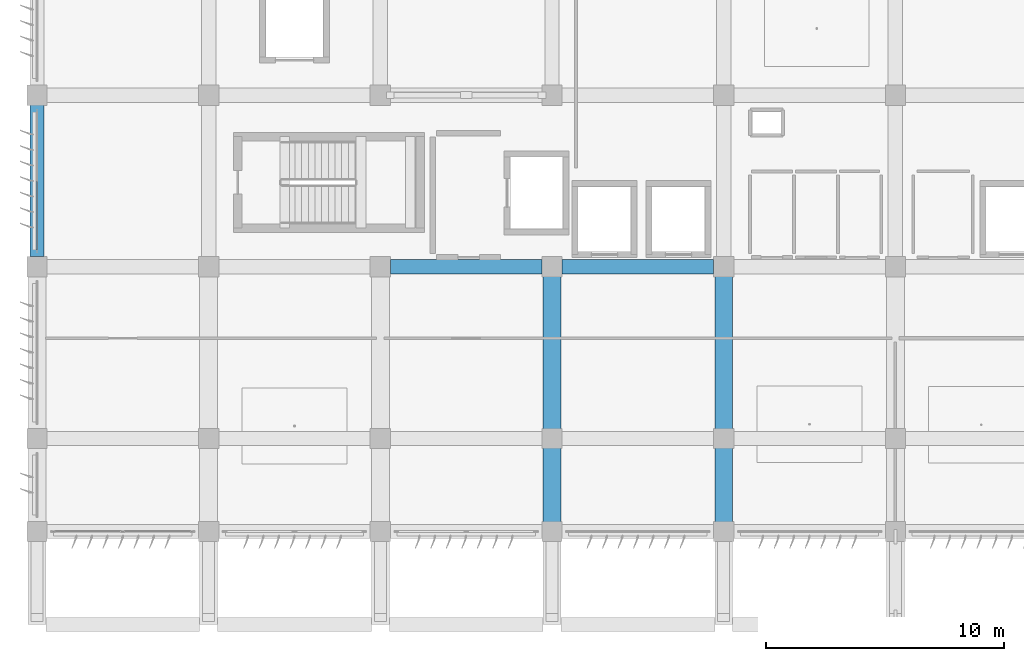
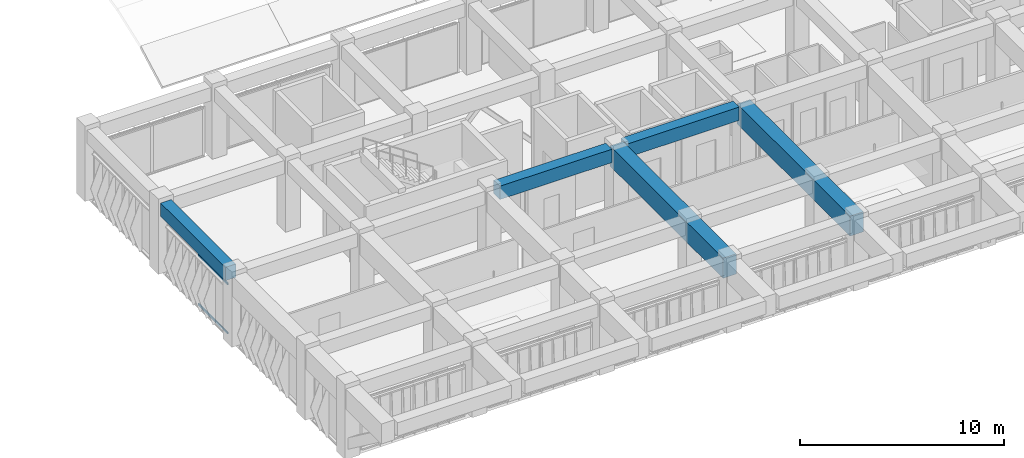
# One storey, part 8 of 56: 5 beams, 2 members, 1 element without a shape of its own.
"""IFC4 building model written with IfcOpenShell, lengths in metres."""

from ifc_helpers import new_model, si_unit, direction, frame, origin, origin_2d, place, context, subcontext, project, spatial, rectangle, hollow_rectangle, extrude, material, material_profile, profile_set, type_object, element, aggregate, save


model = new_model("IFC4")

# Units and contexts
model_context = context("Model", 3, precision=1e-05, world=origin(), true_north=direction((0.0, 1.0)))
body_context = subcontext(model_context, "Body", "Model", "MODEL_VIEW")
ifc_project = project(units=[si_unit("LENGTHUNIT", "METRE"), si_unit("AREAUNIT", "SQUARE_METRE"), si_unit("VOLUMEUNIT", "CUBIC_METRE"), si_unit("PLANEANGLEUNIT", "RADIAN"), si_unit("MASSUNIT", "GRAM", prefix="KILO")], contexts=[model_context])

# Site, building, storey
site_placement = place(None, origin())
site = spatial("IfcSite", under=ifc_project, at=site_placement, CompositionType="ELEMENT")
building_placement = place(site_placement, origin())
building = spatial("IfcBuilding", under=site, at=building_placement, Name="Kazehaya Institute of Natural Sciences", CompositionType="ELEMENT")
storey_placement = place(building_placement, frame((0.0, 0.0, 24.300048828125)))
storey = spatial("IfcBuildingStorey", under=building, at=storey_placement, Name="L05", CompositionType="ELEMENT", Elevation=24.300048828125)

# Beams
ifc_material_1 = material(Name="Concrete Fc36", Category="concrete")
ifc_material_profile_1 = material_profile(ifc_material_1, rectangle(XDim=0.60009765625, YDim=0.800048828125, at=origin_2d()), Name="RC-600x800")
ifc_profile_set_1 = profile_set([ifc_material_profile_1], Name="Concrete Fc36")
beam_type_1 = type_object("IfcBeamType", Name="BM-G-600x800", PredefinedType="BEAM", material=ifc_profile_set_1)
beam_placement = place(storey_placement, frame((69.425048828125, 21.199951171875, 3.829833984375), z_axis=(1.0, 0.0, 0.0), x_axis=(0.0, 1.0, 0.0)))
element("IfcBeam", 1, at=beam_placement, inside=storey, type_object=beam_type_1, Name="L05 primary X girder BMX-L05-690-212", PredefinedType="BEAM", context=body_context, shape_type="SweptSolid", body=[
    extrude(rectangle(XDim=0.60009765625, YDim=0.800048828125, at=origin_2d()), origin(), (0.0, 0.0, 1.0), 6.349853515625),
])
for number, where, z_axis, x_axis, name in (
    (2, (76.625, 21.199951171875, 3.829833984375), (1.0, 0.0, 0.0), (0.0, 1.0, 0.0), "L05 primary X girder BMX-L05-762-212"),
    (3, (54.60009765625, 21.625, 3.829833984375), (0.0, 1.0, 0.0), (-1.0, 0.0, 0.0), "L05 primary Y girder BMY-L05-546-212"),
):
    element("IfcBeam", number, at=place(storey_placement, frame(where, z_axis=z_axis, x_axis=x_axis)), inside=storey, type_object=beam_type_1, Name=name, PredefinedType="BEAM", context=body_context, shape_type="SweptSolid", body=[
        extrude(rectangle(XDim=0.60009765625, YDim=0.800048828125, at=origin_2d()), origin(), (0.0, 0.0, 1.0), 6.35009765625),
    ])
ifc_material_2 = material(Name="Concrete Fc42", Category="concrete")
ifc_material_profile_2 = material_profile(ifc_material_2, rectangle(XDim=0.75, YDim=1.199951171875, at=origin_2d()), Name="RC-750x1200")
ifc_profile_set_2 = profile_set([ifc_material_profile_2], Name="Concrete Fc42")
beam_type_2 = type_object("IfcBeamType", Name="BM-TG-750x1200", PredefinedType="BEAM", material=ifc_profile_set_2)
for number, where, z_axis, x_axis, name in (
    (4, (76.199951171875, 10.10009765625, 3.6298828125), (0.0, 1.0, 0.0), (-1.0, 0.0, 0.0), "L05 transfer girder back-span 1726"),
    (5, (83.39990234375, 10.10009765625, 3.6298828125), (0.0, 1.0, 0.0), (-1.0, 0.0, 0.0), "L05 transfer girder back-span 1731"),
):
    element("IfcBeam", number, at=place(storey_placement, frame(where, z_axis=z_axis, x_axis=x_axis)), inside=storey, type_object=beam_type_2, Name=name, PredefinedType="BEAM", context=body_context, shape_type="SweptSolid", body=[
        extrude(rectangle(XDim=0.75, YDim=1.199951171875, at=origin_2d()), origin(), (0.0, 0.0, 1.0), 11.099853515625),
    ])

# Curtain wall, members
ifc_material_3 = material(Name="Aluminium alloy A6063S-T5", Category="aluminium")
curtain_wall_type = type_object("IfcCurtainWallType", Name="CW-SYS-10", PredefinedType="NOTDEFINED", material=ifc_material_3)
curtain_wall_placement = place(storey_placement, origin())
curtain_wall = element("IfcCurtainWall", 6, at=curtain_wall_placement, inside=storey, type_object=curtain_wall_type, Name="L05 unitised curtain wall CW-L05-116", PredefinedType="NOTDEFINED")
ifc_material_profile_3 = material_profile(ifc_material_3, hollow_rectangle(XDim=0.06005859375, YDim=0.1201171875, WallThickness=0.00341796875, at=origin_2d()), Name="ALU-60x120x3.5")
ifc_profile_set_3 = profile_set([ifc_material_profile_3], Name="Aluminium alloy A6063S-T5")
member_type = type_object("IfcMemberType", Name="CWT-120", PredefinedType="USERDEFINED", material=ifc_profile_set_3)
member_1_placement = place(storey_placement, frame((54.60009765625, 21.89990234375, 0.030029296875), z_axis=(0.0, 1.0, 0.0), x_axis=(-1.0, 0.0, 0.0)))
member_1 = element("IfcMember", 7, at=member_1_placement, type_object=member_type, Name="CW10 transom 1.1", ObjectType="TRANSOM", PredefinedType="USERDEFINED", context=body_context, shape_type="SweptSolid", body=[
    extrude(hollow_rectangle(XDim=0.06005859375, YDim=0.1201171875, WallThickness=0.00341796875, at=origin_2d()), origin(), (0.0, 0.0, 1.0), 2.8701171875),
])
member_2_placement = place(storey_placement, frame((54.60009765625, 21.89990234375, 2.969970703125), z_axis=(0.0, 1.0, 0.0), x_axis=(-1.0, 0.0, 0.0)))
member_2 = element("IfcMember", 8, at=member_2_placement, type_object=member_type, Name="CW10 transom 1.2", ObjectType="TRANSOM", PredefinedType="USERDEFINED", context=body_context, shape_type="SweptSolid", body=[
    extrude(hollow_rectangle(XDim=0.06005859375, YDim=0.1201171875, WallThickness=0.00341796875, at=origin_2d()), origin(), (0.0, 0.0, 1.0), 2.8701171875),
])
aggregate(curtain_wall, [member_1, member_2])

save(model, "model.ifc")
